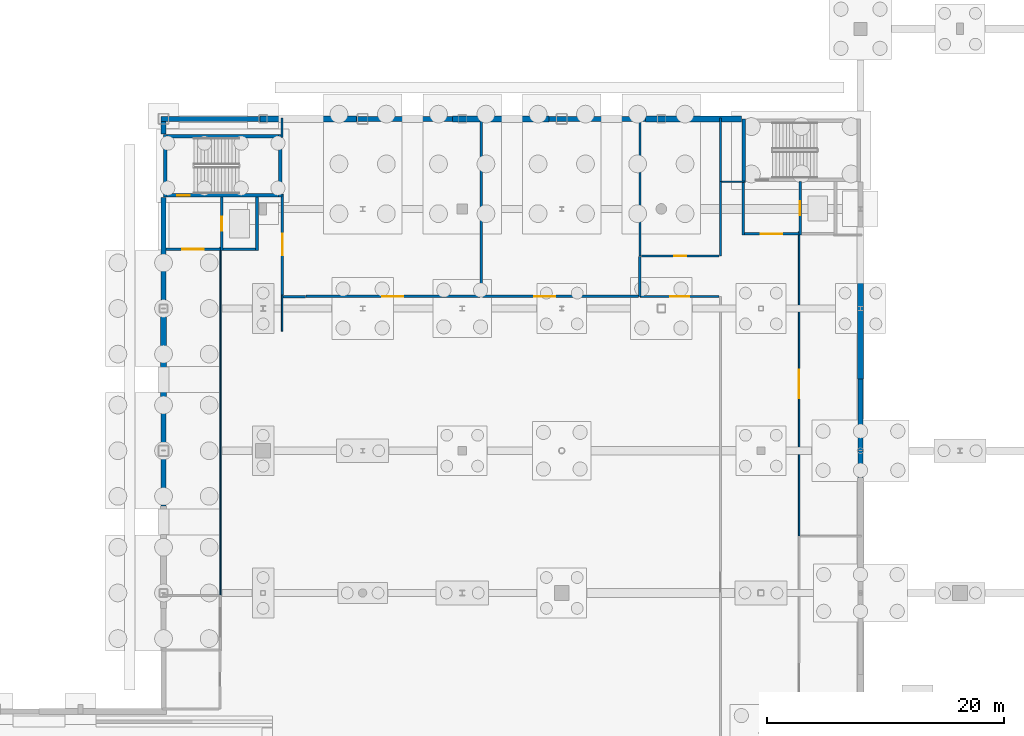
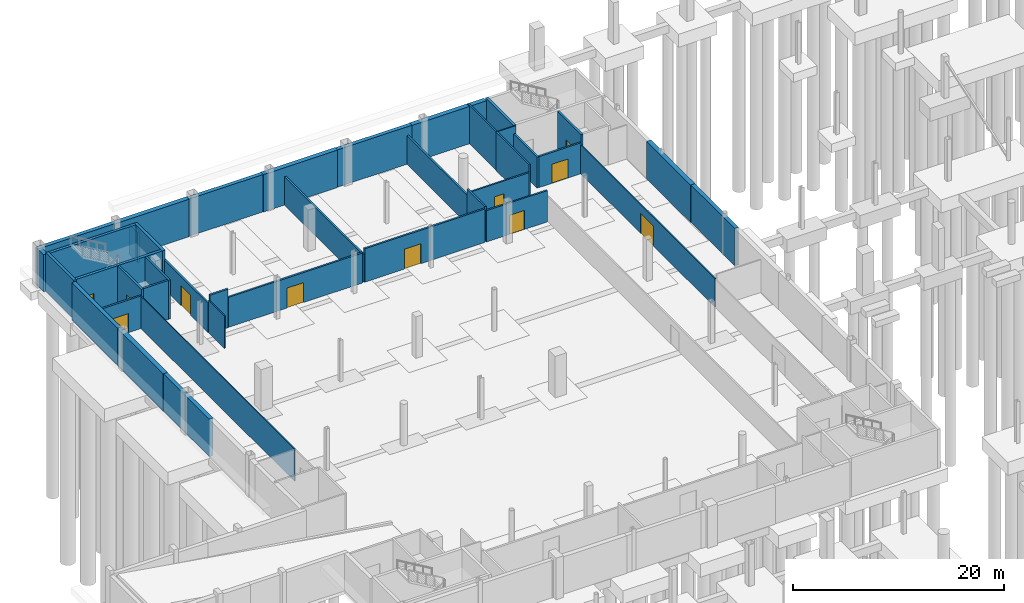
# One storey, part 27 of 34: 40 walls, 11 doors, 11 openings.
"""IFC4 building model written with IfcOpenShell, lengths in metres."""

from ifc_helpers import new_model, si_unit, direction, frame, frame_2d, origin, place, context, subcontext, project, spatial, rectangle, extrude, material, layer, layer_set, type_object, element, fill, save


model = new_model("IFC4")

# Units and contexts
model_context = context("Model", 3, precision=1e-05, world=origin(), true_north=direction((0.0, 1.0)))
body_context = subcontext(model_context, "Body", "Model", "MODEL_VIEW")
ifc_project = project(units=[si_unit("LENGTHUNIT", "METRE"), si_unit("AREAUNIT", "SQUARE_METRE"), si_unit("VOLUMEUNIT", "CUBIC_METRE"), si_unit("PLANEANGLEUNIT", "RADIAN"), si_unit("MASSUNIT", "GRAM", prefix="KILO")], contexts=[model_context])

# Site, building, storey
site_placement = place(None, origin())
site = spatial("IfcSite", under=ifc_project, at=site_placement, CompositionType="ELEMENT")
building_placement = place(site_placement, origin())
building = spatial("IfcBuilding", under=site, at=building_placement, Name="Larkvane Passage Sports Hall", CompositionType="ELEMENT")
storey_placement = place(building_placement, frame((0.0, 0.0, -4.800048828125)))
storey = spatial("IfcBuildingStorey", under=building, at=storey_placement, Name="B01", CompositionType="ELEMENT", Elevation=-4.800048828125)

# Walls
ifc_material_1 = material(Name="Concrete C50/60", Category="concrete")
ifc_layer_1 = layer(ifc_material_1, 0.340087890625)
ifc_layer_set_1 = layer_set([ifc_layer_1], Name="Concrete C50/60")
wall_type_1 = type_object("IfcWallType", Name="WL-CORE-340", PredefinedType="SHEAR", material=ifc_layer_set_1)
for number, where, z_axis, x_axis, name in (
    (1, (34.949951171875, 85.0, 0.0), (0.0, 0.0, 1.0), (0.0, 1.0, 0.0), "Core shear wall WAL-CORE-C2-B01-W"),
    (2, (44.64990234375, 90.300048828125, 0.0), (0.0, 0.0, 1.0), (0.0, -1.0, 0.0), "Core shear wall WAL-CORE-C2-B01-E"),
):
    element("IfcWall", number, at=place(storey_placement, frame(where, z_axis=z_axis, x_axis=x_axis)), inside=storey, type_object=wall_type_1, Name=name, PredefinedType="SHEAR", context=body_context, shape_type="SweptSolid", body=[
        extrude(rectangle(XDim=5.300048828125, YDim=0.300048828125, at=frame_2d((2.64990234375, 0.0))), origin(), (0.0, 0.0, 1.0), 4.510009765625),
    ])

# Wall, opening, door
wall_1_placement = place(storey_placement, frame((44.5, 85.14990234375, 0.0), z_axis=(0.0, 0.0, 1.0), x_axis=(-1.0, 0.0, 0.0)))
wall_1 = element("IfcWall", 3, at=wall_1_placement, inside=storey, type_object=wall_type_1, Name="Core shear wall WAL-CORE-C2-B01-S", PredefinedType="SHEAR", context=body_context, shape_type="SweptSolid", body=[
    extrude(rectangle(XDim=9.39990234375, YDim=0.300048828125, at=frame_2d((4.699951171875, 0.0))), origin(), (0.0, 0.0, 1.0), 4.510009765625),
])
opening_1_placement = place(wall_1_placement, frame((7.5, 0.0, 0.0)))
opening_1 = element("IfcOpeningElement", 4, at=opening_1_placement, cuts=wall_1, Name="Opening DF-01", PredefinedType="OPENING", context=body_context, shape_type="SweptSolid", body=[
    extrude(rectangle(XDim=1.050048828125, YDim=2.199951171875, at=frame_2d((0.52490234375, 1.10009765625))), frame((0.0, 0.159912109375, 0.0), z_axis=(0.0, -1.0, 0.0), x_axis=(1.0, 0.0, 0.0)), (0.0, 0.0, 1.0), 0.320068359375),
])
ifc_material_2 = material(Name="Steel S355JR smoke-sealed fire door", Category="steel")
door_type_1 = type_object("IfcDoorType", Name="DR-FIRE-1050", OperationType="NOTDEFINED", PredefinedType="DOOR", material=ifc_material_2)
door_1_placement = place(opening_1_placement, origin())
door_1 = element("IfcDoor", 5, at=door_1_placement, inside=storey, type_object=door_type_1, Name="Stair ST-02 B01 fire door", OperationType="SINGLE_SWING_LEFT", OverallHeight=2.199951171875, OverallWidth=1.050048828125, PredefinedType="DOOR", context=body_context, shape_type="SweptSolid", body=[
    extrude(rectangle(XDim=1.050048828125, YDim=2.199951171875, at=frame_2d((0.52490234375, 1.10009765625))), frame((0.0, 0.02490234375, 0.0), z_axis=(0.0, -1.0, 0.0), x_axis=(1.0, 0.0, 0.0)), (0.0, 0.0, 1.0), 0.050048828125),
])
fill(opening_1, door_1)

# Walls
wall_2_placement = place(storey_placement, frame((35.10009765625, 90.14990234375, 0.0), z_axis=(0.0, 0.0, 1.0), x_axis=(1.0, 0.0, 0.0)))
element("IfcWall", 6, at=wall_2_placement, inside=storey, type_object=wall_type_1, Name="Core shear wall WAL-CORE-C2-B01-N", PredefinedType="SHEAR", context=body_context, shape_type="SweptSolid", body=[
    extrude(rectangle(XDim=9.39990234375, YDim=0.300048828125, at=frame_2d((4.699951171875, 0.0))), origin(), (0.0, 0.0, 1.0), 4.510009765625),
])
ifc_layer_2 = layer(ifc_material_1, 0.360107421875)
ifc_layer_set_2 = layer_set([ifc_layer_2], Name="Concrete C50/60")
wall_type_2 = type_object("IfcWallType", Name="WL-CORE-360", PredefinedType="SHEAR", material=ifc_layer_set_2)
wall_3_placement = place(storey_placement, frame((83.75, 86.300048828125, 0.0), z_axis=(0.0, 0.0, 1.0), x_axis=(0.0, 1.0, 0.0)))
element("IfcWall", 7, at=wall_3_placement, inside=storey, type_object=wall_type_2, Name="Core shear wall WAL-CORE-C3-B01-W", PredefinedType="SHEAR", context=body_context, shape_type="SweptSolid", body=[
    extrude(rectangle(XDim=5.300048828125, YDim=0.300048828125, at=frame_2d((2.64990234375, 0.0))), origin(), (0.0, 0.0, 1.0), 4.510009765625),
])

# Wall, opening, door
ifc_material_3 = material(Name="Concrete C40/50", Category="concrete")
ifc_layer_3 = layer(ifc_material_3, 0.199951171875)
ifc_layer_set_3 = layer_set([ifc_layer_3], Name="Concrete C40/50")
wall_type_3 = type_object("IfcWallType", Name="WL-LOBBY-200", PredefinedType="SOLIDWALL", material=ifc_layer_set_3)
wall_4_placement = place(storey_placement, frame((35.0, 80.60009765625, 0.0), z_axis=(0.0, 0.0, 1.0), x_axis=(1.0, 0.0, 0.0)))
wall_4 = element("IfcWall", 8, at=wall_4_placement, inside=storey, type_object=wall_type_3, Name="Protected stair lobby wall C2 B01", PredefinedType="SOLIDWALL", context=body_context, shape_type="SweptSolid", body=[
    extrude(rectangle(XDim=4.60009765625, YDim=0.199951171875, at=frame_2d((2.300048828125, 0.0))), origin(), (0.0, 0.0, 1.0), 3.77001953125),
])
opening_2_placement = place(wall_4_placement, frame((1.39990234375, 0.0, 0.0)))
opening_2 = element("IfcOpeningElement", 9, at=opening_2_placement, cuts=wall_4, Name="Opening DF-02", PredefinedType="OPENING", context=body_context, shape_type="SweptSolid", body=[
    extrude(rectangle(XDim=1.800048828125, YDim=2.199951171875, at=frame_2d((0.89990234375, 1.10009765625))), frame((0.0, 0.10986328125, 0.0), z_axis=(0.0, -1.0, 0.0), x_axis=(1.0, 0.0, 0.0)), (0.0, 0.0, 1.0), 0.219970703125),
])
ifc_material_4 = material(Name="Steel S355JR double smoke-sealed fire door", Category="steel")
door_type_2 = type_object("IfcDoorType", Name="DR-FIRE-1800", OperationType="DOUBLE_DOOR_SINGLE_SWING", PredefinedType="DOOR", material=ifc_material_4)
door_2_placement = place(opening_2_placement, origin())
door_2 = element("IfcDoor", 10, at=door_2_placement, inside=storey, type_object=door_type_2, Name="Lobby smoke door C2 B01", OperationType="DOUBLE_DOOR_SINGLE_SWING", OverallHeight=2.199951171875, OverallWidth=1.800048828125, PredefinedType="DOOR", context=body_context, shape_type="SweptSolid", body=[
    extrude(rectangle(XDim=1.800048828125, YDim=2.199951171875, at=frame_2d((0.89990234375, 1.10009765625))), frame((0.0, 0.02490234375, 0.0), z_axis=(0.0, -1.0, 0.0), x_axis=(1.0, 0.0, 0.0)), (0.0, 0.0, 1.0), 0.050048828125),
])
fill(opening_2, door_2)

wall_5_placement = place(storey_placement, frame((83.800048828125, 81.89990234375, 0.0), z_axis=(0.0, 0.0, 1.0), x_axis=(1.0, 0.0, 0.0)))
wall_5 = element("IfcWall", 11, at=wall_5_placement, inside=storey, type_object=wall_type_3, Name="Protected stair lobby wall C3 B01", PredefinedType="SOLIDWALL", context=body_context, shape_type="SweptSolid", body=[
    extrude(rectangle(XDim=4.599853515625, YDim=0.199951171875, at=frame_2d((2.2998046875, 0.0))), origin(), (0.0, 0.0, 1.0), 3.578125),
])
opening_3_placement = place(wall_5_placement, frame((1.39990234375, 0.0, 0.0)))
opening_3 = element("IfcOpeningElement", 12, at=opening_3_placement, cuts=wall_5, Name="Opening DF-02", PredefinedType="OPENING", context=body_context, shape_type="SweptSolid", body=[
    extrude(rectangle(XDim=1.800048828125, YDim=2.199951171875, at=frame_2d((0.89990234375, 1.10009765625))), frame((0.0, 0.10986328125, 0.0), z_axis=(0.0, -1.0, 0.0), x_axis=(1.0, 0.0, 0.0)), (0.0, 0.0, 1.0), 0.219970703125),
])
door_3_placement = place(opening_3_placement, origin())
door_3 = element("IfcDoor", 13, at=door_3_placement, inside=storey, type_object=door_type_2, Name="Lobby smoke door C3 B01", OperationType="DOUBLE_DOOR_SINGLE_SWING", OverallHeight=2.199951171875, OverallWidth=1.800048828125, PredefinedType="DOOR", context=body_context, shape_type="SweptSolid", body=[
    extrude(rectangle(XDim=1.800048828125, YDim=2.199951171875, at=frame_2d((0.89990234375, 1.10009765625))), frame((0.0, 0.02490234375, 0.0), z_axis=(0.0, -1.0, 0.0), x_axis=(1.0, 0.0, 0.0)), (0.0, 0.0, 1.0), 0.050048828125),
])
fill(opening_3, door_3)

# Walls
wall_6_placement = place(storey_placement, frame((83.699951171875, 81.800048828125, 0.0), z_axis=(0.0, 0.0, 1.0), x_axis=(0.0, 1.0, 0.0)))
element("IfcWall", 14, at=wall_6_placement, inside=storey, type_object=wall_type_3, Name="Lobby side wall C3 B01", PredefinedType="SOLIDWALL", context=body_context, shape_type="SweptSolid", body=[
    extrude(rectangle(XDim=4.5, YDim=0.199951171875, at=frame_2d((2.25, 0.0))), origin(), (0.0, 0.0, 1.0), 3.578125),
])
wall_7_placement = place(storey_placement, frame((61.60009765625, 91.674072265625, 0.0), z_axis=(0.0, 0.0, 1.0), x_axis=(0.0, -1.0, 0.0)))
element("IfcWall", 15, at=wall_7_placement, inside=storey, type_object=wall_type_3, Name="Interior partition WAL-PART-B01-0006", PredefinedType="SOLIDWALL", context=body_context, shape_type="SweptSolid", body=[
    extrude(rectangle(XDim=15.053955078125, YDim=0.199951171875, at=frame_2d((7.52685546875, 0.0))), origin(), (0.0, 0.0, 1.0), 3.27001953125),
])

# Wall, opening, door
wall_8_placement = place(storey_placement, frame((61.47998046875, 76.6201171875, 0.0), z_axis=(0.0, 0.0, 1.0), x_axis=(-1.0, 0.0, 0.0)))
wall_8 = element("IfcWall", 16, at=wall_8_placement, inside=storey, type_object=wall_type_3, Name="Interior partition WAL-PART-B01-0007", PredefinedType="SOLIDWALL", context=body_context, shape_type="SweptSolid", body=[
    extrude(rectangle(XDim=14.679931640625, YDim=0.199951171875, at=frame_2d((7.33984375, 0.0))), origin(), (0.0, 0.0, 1.0), 3.469970703125),
])
opening_4_placement = place(wall_8_placement, frame((6.43994140625, 0.0, 0.0)))
opening_4 = element("IfcOpeningElement", 17, at=opening_4_placement, cuts=wall_8, Name="Opening DR-01", PredefinedType="OPENING", context=body_context, shape_type="SweptSolid", body=[
    extrude(rectangle(XDim=1.800048828125, YDim=2.300048828125, at=frame_2d((0.89990234375, 1.14990234375))), frame((0.0, 0.10986328125, 0.0), z_axis=(0.0, -1.0, 0.0), x_axis=(1.0, 0.0, 0.0)), (0.0, 0.0, 1.0), 0.219970703125),
])
ifc_material_5 = material(Name="Louvred acoustic steel S355JR plant door", Category="steel")
door_type_3 = type_object("IfcDoorType", Name="DR-PLANT-1800", OperationType="DOUBLE_DOOR_SINGLE_SWING", PredefinedType="DOOR", material=ifc_material_5)
door_4_placement = place(opening_4_placement, origin())
door_4 = element("IfcDoor", 18, at=door_4_placement, inside=storey, type_object=door_type_3, Name="Interior door B01-0005", OperationType="DOUBLE_DOOR_SINGLE_SWING", OverallHeight=2.300048828125, OverallWidth=1.800048828125, PredefinedType="DOOR", context=body_context, shape_type="SweptSolid", body=[
    extrude(rectangle(XDim=1.800048828125, YDim=2.300048828125, at=frame_2d((0.89990234375, 1.14990234375))), frame((0.0, 0.02490234375, 0.0), z_axis=(0.0, -1.0, 0.0), x_axis=(1.0, 0.0, 0.0)), (0.0, 0.0, 1.0), 0.050048828125),
])
fill(opening_4, door_4)

# Wall
wall_9_placement = place(storey_placement, frame((46.780029296875, 76.60009765625, 0.0), z_axis=(0.0, 0.0, 1.0), x_axis=(-1.0, 0.0, 0.0)))
element("IfcWall", 19, at=wall_9_placement, inside=storey, type_object=wall_type_3, Name="Interior partition WAL-PART-B01-0008", PredefinedType="SOLIDWALL", context=body_context, shape_type="SweptSolid", body=[
    extrude(rectangle(XDim=1.9599609375, YDim=0.199951171875, at=frame_2d((0.97998046875, 0.0))), origin(), (0.0, 0.0, 1.0), 4.449951171875),
])

# Wall, opening, door
wall_10_placement = place(storey_placement, frame((44.820068359375, 76.719970703125, 0.0), z_axis=(0.0, 0.0, 1.0), x_axis=(0.0, 1.0, 0.0)))
wall_10 = element("IfcWall", 20, at=wall_10_placement, inside=storey, type_object=wall_type_3, Name="Interior partition WAL-PART-B01-0009", PredefinedType="SOLIDWALL", context=body_context, shape_type="SweptSolid", body=[
    extrude(rectangle(XDim=8.5400390625, YDim=0.199951171875, at=frame_2d((4.27001953125, 0.0))), origin(), (0.0, 0.0, 1.0), 3.3701171875),
])
opening_5_placement = place(wall_10_placement, frame((3.3701171875, 0.0, 0.0)))
opening_5 = element("IfcOpeningElement", 21, at=opening_5_placement, cuts=wall_10, Name="Opening DR-01", PredefinedType="OPENING", context=body_context, shape_type="SweptSolid", body=[
    extrude(rectangle(XDim=1.800048828125, YDim=2.300048828125, at=frame_2d((0.89990234375, 1.14990234375))), frame((0.0, 0.10986328125, 0.0), z_axis=(0.0, -1.0, 0.0), x_axis=(1.0, 0.0, 0.0)), (0.0, 0.0, 1.0), 0.219970703125),
])
door_5_placement = place(opening_5_placement, origin())
door_5 = element("IfcDoor", 22, at=door_5_placement, inside=storey, type_object=door_type_3, Name="Interior door B01-0007", OperationType="DOUBLE_DOOR_SINGLE_SWING", OverallHeight=2.300048828125, OverallWidth=1.800048828125, PredefinedType="DOOR", context=body_context, shape_type="SweptSolid", body=[
    extrude(rectangle(XDim=1.800048828125, YDim=2.300048828125, at=frame_2d((0.89990234375, 1.14990234375))), frame((0.0, 0.02490234375, 0.0), z_axis=(0.0, -1.0, 0.0), x_axis=(1.0, 0.0, 0.0)), (0.0, 0.0, 1.0), 0.050048828125),
])
fill(opening_5, door_5)

# Walls
wall_11_placement = place(storey_placement, frame((44.800048828125, 90.0400390625, 0.0), z_axis=(0.0, 0.0, 1.0), x_axis=(0.0, 1.0, 0.0)))
element("IfcWall", 23, at=wall_11_placement, inside=storey, type_object=wall_type_3, Name="Interior partition WAL-PART-B01-0010", PredefinedType="SOLIDWALL", context=body_context, shape_type="SweptSolid", body=[
    extrude(rectangle(XDim=1.634033203125, YDim=0.199951171875, at=frame_2d((0.81689453125, 0.0))), origin(), (0.0, 0.0, 1.0), 3.52001953125),
])
wall_12_placement = place(storey_placement, frame((75.0, 91.714111328125, 0.0), z_axis=(0.0, 0.0, 1.0), x_axis=(0.0, -1.0, 0.0)))
element("IfcWall", 24, at=wall_12_placement, inside=storey, type_object=wall_type_3, Name="Interior partition WAL-PART-B01-0011", PredefinedType="SOLIDWALL", context=body_context, shape_type="SweptSolid", body=[
    extrude(rectangle(XDim=11.694091796875, YDim=0.199951171875, at=frame_2d((5.84716796875, 0.0))), origin(), (0.0, 0.0, 1.0), 3.320068359375),
])
wall_13_placement = place(storey_placement, frame((74.97998046875, 80.0, 0.0), z_axis=(0.0, 0.0, 1.0), x_axis=(0.0, -1.0, 0.0)))
element("IfcWall", 25, at=wall_13_placement, inside=storey, type_object=wall_type_3, Name="Interior partition WAL-PART-B01-0012", PredefinedType="SOLIDWALL", context=body_context, shape_type="SweptSolid", body=[
    extrude(rectangle(XDim=3.3798828125, YDim=0.199951171875, at=frame_2d((1.68994140625, 0.0))), origin(), (0.0, 0.0, 1.0), 4.070068359375),
])

# Wall, opening, door
wall_14_placement = place(storey_placement, frame((74.860107421875, 76.6201171875, 0.0), z_axis=(0.0, 0.0, 1.0), x_axis=(-1.0, 0.0, 0.0)))
wall_14 = element("IfcWall", 26, at=wall_14_placement, inside=storey, type_object=wall_type_3, Name="Interior partition WAL-PART-B01-0013", PredefinedType="SOLIDWALL", context=body_context, shape_type="SweptSolid", body=[
    extrude(rectangle(XDim=13.14013671875, YDim=0.199951171875, at=frame_2d((6.570068359375, 0.0))), origin(), (0.0, 0.0, 1.0), 3.8701171875),
])
opening_6_placement = place(wall_14_placement, frame((7.0, 0.0, 0.0)))
opening_6 = element("IfcOpeningElement", 27, at=opening_6_placement, cuts=wall_14, Name="Opening DR-01", PredefinedType="OPENING", context=body_context, shape_type="SweptSolid", body=[
    extrude(rectangle(XDim=1.800048828125, YDim=2.300048828125, at=frame_2d((0.89990234375, 1.14990234375))), frame((0.0, 0.10986328125, 0.0), z_axis=(0.0, -1.0, 0.0), x_axis=(1.0, 0.0, 0.0)), (0.0, 0.0, 1.0), 0.219970703125),
])
door_6_placement = place(opening_6_placement, origin())
door_6 = element("IfcDoor", 28, at=door_6_placement, inside=storey, type_object=door_type_3, Name="Interior door B01-0006", OperationType="DOUBLE_DOOR_SINGLE_SWING", OverallHeight=2.300048828125, OverallWidth=1.800048828125, PredefinedType="DOOR", context=body_context, shape_type="SweptSolid", body=[
    extrude(rectangle(XDim=1.800048828125, YDim=2.300048828125, at=frame_2d((0.89990234375, 1.14990234375))), frame((0.0, 0.02490234375, 0.0), z_axis=(0.0, -1.0, 0.0), x_axis=(1.0, 0.0, 0.0)), (0.0, 0.0, 1.0), 0.050048828125),
])
fill(opening_6, door_6)

# Walls
ifc_material_6 = material(Name="Gypsum twin-stud acoustic partition")
ifc_layer_4 = layer(ifc_material_6, 0.10009765625)
ifc_layer_set_4 = layer_set([ifc_layer_4], Name="Gypsum twin-stud acoustic partition")
wall_type_4 = type_object("IfcWallType", Name="WL-PART-100", PredefinedType="PARTITIONING", material=ifc_layer_set_4)
wall_15_placement = place(storey_placement, frame((39.60009765625, 51.39990234375, 0.0), z_axis=(0.0, 0.0, 1.0), x_axis=(0.0, 1.0, 0.0)))
element("IfcWall", 29, at=wall_15_placement, inside=storey, type_object=wall_type_4, Name="Interior partition WAL-PART-B01-0029", PredefinedType="PARTITIONING", context=body_context, shape_type="SweptSolid", body=[
    extrude(rectangle(XDim=29.360107421875, YDim=0.10009765625, at=frame_2d((14.68017578125, 0.0))), origin(), (0.0, 0.0, 1.0), 3.719970703125),
])
wall_16_placement = place(storey_placement, frame((81.89990234375, 86.300048828125, 0.0), z_axis=(0.0, 0.0, 1.0), x_axis=(1.0, 0.0, 0.0)))
element("IfcWall", 30, at=wall_16_placement, inside=storey, type_object=wall_type_4, Name="Interior partition WAL-PART-B01-0037", PredefinedType="PARTITIONING", context=body_context, shape_type="SweptSolid", body=[
    extrude(rectangle(XDim=1.960205078125, YDim=0.10009765625, at=frame_2d((0.97998046875, 0.0))), origin(), (0.0, 0.0, 1.0), 4.449951171875),
])

# Wall, opening, door
ifc_material_7 = material(Name="Gypsum twin-stud fire-rated partition")
ifc_layer_5 = layer(ifc_material_7, 0.125)
ifc_layer_set_5 = layer_set([ifc_layer_5], Name="Gypsum twin-stud fire-rated partition")
wall_type_5 = type_object("IfcWallType", Name="WL-PART-125", PredefinedType="PARTITIONING", material=ifc_layer_set_5)
wall_17_placement = place(storey_placement, frame((88.419921875, 56.419921875, 0.0), z_axis=(0.0, 0.0, 1.0), x_axis=(0.0, 1.0, 0.0)))
wall_17 = element("IfcWall", 31, at=wall_17_placement, inside=storey, type_object=wall_type_5, Name="Interior partition WAL-PART-B01-0020", PredefinedType="PARTITIONING", context=body_context, shape_type="SweptSolid", body=[
    extrude(rectangle(XDim=25.64013671875, YDim=0.125, at=frame_2d((12.820068359375, 0.0))), origin(), (0.0, 0.0, 1.0), 3.320068359375),
])
opening_7_placement = place(wall_17_placement, frame((11.6201171875, 0.0, 0.0)))
opening_7 = element("IfcOpeningElement", 32, at=opening_7_placement, cuts=wall_17, Name="Opening FD-01", PredefinedType="OPENING", context=body_context, shape_type="SweptSolid", body=[
    extrude(rectangle(XDim=2.39990234375, YDim=2.300048828125, at=frame_2d((1.199951171875, 1.14990234375))), frame((0.0, 0.072509765625, 0.0), z_axis=(0.0, -1.0, 0.0), x_axis=(1.0, 0.0, 0.0)), (0.0, 0.0, 1.0), 0.14501953125),
])
ifc_material_8 = material(Name="Bi-fold steel S355JR equipment store door", Category="steel")
door_type_4 = type_object("IfcDoorType", Name="DR-FOLD-2400", OperationType="FOLDING_TO_LEFT", PredefinedType="DOOR", material=ifc_material_8)
door_7_placement = place(opening_7_placement, origin())
door_7 = element("IfcDoor", 33, at=door_7_placement, inside=storey, type_object=door_type_4, Name="Interior door B01-0001", OperationType="FOLDING_TO_LEFT", OverallHeight=2.300048828125, OverallWidth=2.39990234375, PredefinedType="DOOR", context=body_context, shape_type="SweptSolid", body=[
    extrude(rectangle(XDim=2.39990234375, YDim=2.300048828125, at=frame_2d((1.199951171875, 1.14990234375))), frame((0.0, 0.02490234375, 0.0), z_axis=(0.0, -1.0, 0.0), x_axis=(1.0, 0.0, 0.0)), (0.0, 0.0, 1.0), 0.050048828125),
])
fill(opening_7, door_7)

# Wall
wall_18_placement = place(storey_placement, frame((44.800048828125, 76.719970703125, 0.0), z_axis=(0.0, 0.0, 1.0), x_axis=(0.0, -1.0, 0.0)))
element("IfcWall", 34, at=wall_18_placement, inside=storey, type_object=wall_type_5, Name="Interior partition WAL-PART-B01-0030", PredefinedType="PARTITIONING", context=body_context, shape_type="SweptSolid", body=[
    extrude(rectangle(XDim=3.02001953125, YDim=0.125, at=frame_2d((1.510009765625, 0.0))), origin(), (0.0, 0.0, 1.0), 3.77001953125),
])

# Wall, opening, door
ifc_material_9 = material(Name="Gypsum high-bay court partition")
ifc_layer_6 = layer(ifc_material_9, 0.179931640625)
ifc_layer_set_6 = layer_set([ifc_layer_6], Name="Gypsum high-bay court partition")
wall_type_6 = type_object("IfcWallType", Name="WL-PART-180", PredefinedType="PARTITIONING", material=ifc_layer_set_6)
wall_19_placement = place(storey_placement, frame((81.679931640625, 76.60009765625, 0.0), z_axis=(0.0, 0.0, 1.0), x_axis=(-1.0, 0.0, 0.0)))
wall_19 = element("IfcWall", 35, at=wall_19_placement, inside=storey, type_object=wall_type_6, Name="Interior partition WAL-PART-B01-0036", PredefinedType="PARTITIONING", context=body_context, shape_type="SweptSolid", body=[
    extrude(rectangle(XDim=6.679931640625, YDim=0.179931640625, at=frame_2d((3.33984375, 0.0))), origin(), (0.0, 0.0, 1.0), 3.6201171875),
])
opening_8_placement = place(wall_19_placement, frame((2.5400390625, 0.0, 0.0)))
opening_8 = element("IfcOpeningElement", 36, at=opening_8_placement, cuts=wall_19, Name="Opening DI-03", PredefinedType="OPENING", context=body_context, shape_type="SweptSolid", body=[
    extrude(rectangle(XDim=1.60009765625, YDim=2.199951171875, at=frame_2d((0.800048828125, 1.10009765625))), frame((0.0, 0.099853515625, 0.0), z_axis=(0.0, -1.0, 0.0), x_axis=(1.0, 0.0, 0.0)), (0.0, 0.0, 1.0), 0.199951171875),
])
ifc_material_10 = material(Name="Glazed aluminium studio double door", Category="aluminium")
door_type_5 = type_object("IfcDoorType", Name="DR-INT-1600", OperationType="DOUBLE_DOOR_SINGLE_SWING", PredefinedType="DOOR", material=ifc_material_10)
door_8_placement = place(opening_8_placement, origin())
door_8 = element("IfcDoor", 37, at=door_8_placement, inside=storey, type_object=door_type_5, Name="Interior door B01-0013", OperationType="DOUBLE_DOOR_SINGLE_SWING", OverallHeight=2.199951171875, OverallWidth=1.60009765625, PredefinedType="DOOR", context=body_context, shape_type="SweptSolid", body=[
    extrude(rectangle(XDim=1.60009765625, YDim=2.199951171875, at=frame_2d((0.800048828125, 1.10009765625))), frame((0.0, 0.02490234375, 0.0), z_axis=(0.0, -1.0, 0.0), x_axis=(1.0, 0.0, 0.0)), (0.0, 0.0, 1.0), 0.050048828125),
])
fill(opening_8, door_8)

# Walls
ifc_material_11 = material(Name="Moisture-resistant shaftliner partition")
ifc_layer_7 = layer(ifc_material_11, 0.175048828125)
ifc_layer_set_7 = layer_set([ifc_layer_7], Name="Moisture-resistant shaftliner partition")
wall_type_7 = type_object("IfcWallType", Name="WL-PLUMB-175", PredefinedType="PLUMBINGWALL", material=ifc_layer_set_7)
wall_20_placement = place(storey_placement, frame((81.800048828125, 91.674072265625, 0.0), z_axis=(0.0, 0.0, 1.0), x_axis=(0.0, -1.0, 0.0)))
element("IfcWall", 38, at=wall_20_placement, inside=storey, type_object=wall_type_7, Name="Interior partition WAL-PART-B01-0014", PredefinedType="PLUMBINGWALL", context=body_context, shape_type="SweptSolid", body=[
    extrude(rectangle(XDim=5.35400390625, YDim=0.175048828125, at=frame_2d((2.677001953125, 0.0))), origin(), (0.0, 0.0, 1.0), 4.449951171875),
])
wall_21_placement = place(storey_placement, frame((81.780029296875, 86.300048828125, 0.0), z_axis=(0.0, 0.0, 1.0), x_axis=(0.0, -1.0, 0.0)))
element("IfcWall", 39, at=wall_21_placement, inside=storey, type_object=wall_type_7, Name="Interior partition WAL-PART-B01-0015", PredefinedType="PLUMBINGWALL", context=body_context, shape_type="SweptSolid", body=[
    extrude(rectangle(XDim=6.280029296875, YDim=0.175048828125, at=frame_2d((3.14013671875, 0.0))), origin(), (0.0, 0.0, 1.0), 4.449951171875),
])

# Wall, opening, door
wall_22_placement = place(storey_placement, frame((81.659912109375, 80.02001953125, 0.0), z_axis=(0.0, 0.0, 1.0), x_axis=(-1.0, 0.0, 0.0)))
wall_22 = element("IfcWall", 40, at=wall_22_placement, inside=storey, type_object=wall_type_7, Name="Interior partition WAL-PART-B01-0016", PredefinedType="PLUMBINGWALL", context=body_context, shape_type="SweptSolid", body=[
    extrude(rectangle(XDim=6.539794921875, YDim=0.175048828125, at=frame_2d((3.27001953125, 0.0))), origin(), (0.0, 0.0, 1.0), 3.6201171875),
])
opening_9_placement = place(wall_22_placement, frame((2.77001953125, 0.0, 0.0)))
opening_9 = element("IfcOpeningElement", 41, at=opening_9_placement, cuts=wall_22, Name="Opening DI-01", PredefinedType="OPENING", context=body_context, shape_type="SweptSolid", body=[
    extrude(rectangle(XDim=1.0, YDim=2.14990234375, at=frame_2d((0.5, 1.074951171875))), frame((0.0, 0.097412109375, 0.0), z_axis=(0.0, -1.0, 0.0), x_axis=(1.0, 0.0, 0.0)), (0.0, 0.0, 1.0), 0.195068359375),
])
ifc_material_12 = material(Name="Solid-core hardwood acoustic door", Category="wood")
door_type_6 = type_object("IfcDoorType", Name="DR-INT-1000", OperationType="NOTDEFINED", PredefinedType="DOOR", material=ifc_material_12)
door_9_placement = place(opening_9_placement, origin())
door_9 = element("IfcDoor", 42, at=door_9_placement, inside=storey, type_object=door_type_6, Name="Interior door B01-0008", OperationType="SINGLE_SWING_RIGHT", OverallHeight=2.14990234375, OverallWidth=1.0, PredefinedType="DOOR", context=body_context, shape_type="SweptSolid", body=[
    extrude(rectangle(XDim=1.0, YDim=2.14990234375, at=frame_2d((0.5, 1.074951171875))), frame((0.0, 0.02490234375, 0.0), z_axis=(0.0, -1.0, 0.0), x_axis=(1.0, 0.0, 0.0)), (0.0, 0.0, 1.0), 0.050048828125),
])
fill(opening_9, door_9)

# Walls
ifc_layer_8 = layer(ifc_material_3, 0.419921875)
ifc_layer_set_8 = layer_set([ifc_layer_8], Name="Concrete C40/50")
wall_type_8 = type_object("IfcWallType", Name="WL-RET-420", PredefinedType="USERDEFINED", material=ifc_layer_set_8)
wall_23_placement = place(storey_placement, frame((93.60009765625, 61.354248046875, 0.0), z_axis=(0.0, 0.0, 1.0), x_axis=(0.0, 1.0, 0.0)))
element("IfcWall", 43, at=wall_23_placement, inside=storey, type_object=wall_type_8, Name="Basement retaining wall B01-014", ObjectType="RETAININGWALL", PredefinedType="USERDEFINED", context=body_context, shape_type="SweptSolid", body=[
    extrude(rectangle(XDim=8.30859375, YDim=0.419921875, at=frame_2d((4.154296875, 0.0))), origin(), (0.0, 0.0, 1.0), 4.320068359375),
])
for number, where, z_axis, x_axis, name in (
    (44, (75.449951171875, 91.60009765625, 0.0), (0.0, 0.0, 1.0), (-1.0, 0.0, 0.0), "Basement retaining wall B01-018"),
    (45, (59.18994140625, 91.60009765625, 0.0), (0.0, 0.0, 1.0), (-1.0, 0.0, 0.0), "Basement retaining wall B01-020"),
):
    element("IfcWall", number, at=place(storey_placement, frame(where, z_axis=z_axis, x_axis=x_axis)), inside=storey, type_object=wall_type_8, Name=name, ObjectType="RETAININGWALL", PredefinedType="USERDEFINED", context=body_context, shape_type="SweptSolid", body=[
        extrude(rectangle(XDim=8.1298828125, YDim=0.419921875, at=frame_2d((4.06494140625, 0.0))), origin(), (0.0, 0.0, 1.0), 4.320068359375),
    ])
wall_24_placement = place(storey_placement, frame((42.929931640625, 91.60009765625, 0.0), z_axis=(0.0, 0.0, 1.0), x_axis=(-1.0, 0.0, 0.0)))
element("IfcWall", 46, at=wall_24_placement, inside=storey, type_object=wall_type_8, Name="Basement retaining wall B01-022", ObjectType="RETAININGWALL", PredefinedType="USERDEFINED", context=body_context, shape_type="SweptSolid", body=[
    extrude(rectangle(XDim=8.33984375, YDim=0.419921875, at=frame_2d((4.169921875, 0.0))), origin(), (0.0, 0.0, 1.0), 4.320068359375),
])
wall_25_placement = place(storey_placement, frame((34.800048828125, 91.389892578125, 0.0), z_axis=(0.0, 0.0, 1.0), x_axis=(0.0, -1.0, 0.0)))
element("IfcWall", 47, at=wall_25_placement, inside=storey, type_object=wall_type_8, Name="Basement retaining wall B01-023", ObjectType="RETAININGWALL", PredefinedType="USERDEFINED", context=body_context, shape_type="SweptSolid", body=[
    extrude(rectangle(XDim=1.06982421875, YDim=0.419921875, at=frame_2d((0.534912109375, 0.0))), origin(), (0.0, 0.0, 1.0), 4.320068359375),
])
for number, where, z_axis, x_axis, name in (
    (48, (34.800048828125, 84.97998046875, 0.0), (0.0, 0.0, 1.0), (0.0, -1.0, 0.0), "Basement retaining wall B01-024"),
    (49, (34.800048828125, 67.6279296875, 0.0), (0.0, 0.0, 1.0), (0.0, -1.0, 0.0), "Basement retaining wall B01-026"),
):
    element("IfcWall", number, at=place(storey_placement, frame(where, z_axis=z_axis, x_axis=x_axis)), inside=storey, type_object=wall_type_8, Name=name, ObjectType="RETAININGWALL", PredefinedType="USERDEFINED", context=body_context, shape_type="SweptSolid", body=[
        extrude(rectangle(XDim=8.676025390625, YDim=0.419921875, at=frame_2d((4.337890625, 0.0))), origin(), (0.0, 0.0, 1.0), 4.320068359375),
    ])
ifc_layer_9 = layer(ifc_material_3, 0.5)
ifc_layer_set_9 = layer_set([ifc_layer_9], Name="Concrete C40/50")
wall_type_9 = type_object("IfcWallType", Name="WL-RET-500", PredefinedType="USERDEFINED", material=ifc_layer_set_9)
wall_26_placement = place(storey_placement, frame((93.60009765625, 69.662841796875, 0.0), z_axis=(0.0, 0.0, 1.0), x_axis=(0.0, 1.0, 0.0)))
element("IfcWall", 50, at=wall_26_placement, inside=storey, type_object=wall_type_9, Name="Basement retaining wall B01-015", ObjectType="RETAININGWALL", PredefinedType="USERDEFINED", context=body_context, shape_type="SweptSolid", body=[
    extrude(rectangle(XDim=8.30859375, YDim=0.5, at=frame_2d((4.154296875, 0.0))), origin(), (0.0, 0.0, 1.0), 4.320068359375),
])
for number, where, z_axis, x_axis, name in (
    (51, (83.580078125, 91.60009765625, 0.0), (0.0, 0.0, 1.0), (-1.0, 0.0, 0.0), "Basement retaining wall B01-017"),
    (52, (67.320068359375, 91.60009765625, 0.0), (0.0, 0.0, 1.0), (-1.0, 0.0, 0.0), "Basement retaining wall B01-019"),
    (53, (51.06005859375, 91.60009765625, 0.0), (0.0, 0.0, 1.0), (-1.0, 0.0, 0.0), "Basement retaining wall B01-021"),
):
    element("IfcWall", number, at=place(storey_placement, frame(where, z_axis=z_axis, x_axis=x_axis)), inside=storey, type_object=wall_type_9, Name=name, ObjectType="RETAININGWALL", PredefinedType="USERDEFINED", context=body_context, shape_type="SweptSolid", body=[
        extrude(rectangle(XDim=8.130126953125, YDim=0.5, at=frame_2d((4.06494140625, 0.0))), origin(), (0.0, 0.0, 1.0), 4.320068359375),
    ])
wall_27_placement = place(storey_placement, frame((34.800048828125, 76.303955078125, 0.0), z_axis=(0.0, 0.0, 1.0), x_axis=(0.0, -1.0, 0.0)))
element("IfcWall", 54, at=wall_27_placement, inside=storey, type_object=wall_type_9, Name="Basement retaining wall B01-025", ObjectType="RETAININGWALL", PredefinedType="USERDEFINED", context=body_context, shape_type="SweptSolid", body=[
    extrude(rectangle(XDim=8.676025390625, YDim=0.5, at=frame_2d((4.337890625, 0.0))), origin(), (0.0, 0.0, 1.0), 4.320068359375),
])

# Wall, opening, door
ifc_layer_10 = layer(ifc_material_3, 0.219970703125)
ifc_layer_set_10 = layer_set([ifc_layer_10], Name="Concrete C40/50")
wall_type_10 = type_object("IfcWallType", Name="WL-SHAFT-220", PredefinedType="SOLIDWALL", material=ifc_layer_set_10)
wall_28_placement = place(storey_placement, frame((39.7099609375, 80.5, 0.0), z_axis=(0.0, 0.0, 1.0), x_axis=(0.0, 1.0, 0.0)))
wall_28 = element("IfcWall", 55, at=wall_28_placement, inside=storey, type_object=wall_type_10, Name="Lift shaft front wall L-03 B01", PredefinedType="SOLIDWALL", context=body_context, shape_type="SweptSolid", body=[
    extrude(rectangle(XDim=4.5, YDim=0.219970703125, at=frame_2d((2.25, 0.0))), origin(), (0.0, 0.0, 1.0), 4.510009765625),
])
opening_10_placement = place(wall_28_placement, frame((1.64990234375, 0.0, 0.0)))
opening_10 = element("IfcOpeningElement", 56, at=opening_10_placement, cuts=wall_28, Name="Opening LD-01", PredefinedType="OPENING", context=body_context, shape_type="SweptSolid", body=[
    extrude(rectangle(XDim=1.199951171875, YDim=2.199951171875, at=frame_2d((0.60009765625, 1.10009765625))), frame((0.0, 0.119873046875, 0.0), z_axis=(0.0, -1.0, 0.0), x_axis=(1.0, 0.0, 0.0)), (0.0, 0.0, 1.0), 0.239990234375),
])
ifc_material_13 = material(Name="Stainless steel S355JR lift landing door", Category="steel")
door_type_7 = type_object("IfcDoorType", Name="DR-LIFT-1200", OperationType="SLIDING_TO_LEFT", PredefinedType="DOOR", material=ifc_material_13)
door_10_placement = place(opening_10_placement, origin())
door_10 = element("IfcDoor", 57, at=door_10_placement, inside=storey, type_object=door_type_7, Name="Lift landing door L-03 B01", OperationType="SLIDING_TO_LEFT", OverallHeight=2.199951171875, OverallWidth=1.199951171875, PredefinedType="DOOR", context=body_context, shape_type="SweptSolid", body=[
    extrude(rectangle(XDim=1.199951171875, YDim=2.199951171875, at=frame_2d((0.60009765625, 1.10009765625))), frame((0.0, 0.02490234375, 0.0), z_axis=(0.0, -1.0, 0.0), x_axis=(1.0, 0.0, 0.0)), (0.0, 0.0, 1.0), 0.050048828125),
])
fill(opening_10, door_10)

# Walls
wall_29_placement = place(storey_placement, frame((42.68994140625, 80.5, 0.0), z_axis=(0.0, 0.0, 1.0), x_axis=(0.0, 1.0, 0.0)))
element("IfcWall", 58, at=wall_29_placement, inside=storey, type_object=wall_type_10, Name="Lift shaft rear wall L-03 B01", PredefinedType="SOLIDWALL", context=body_context, shape_type="SweptSolid", body=[
    extrude(rectangle(XDim=4.5, YDim=0.219970703125, at=frame_2d((2.25, 0.0))), origin(), (0.0, 0.0, 1.0), 4.510009765625),
])
wall_30_placement = place(storey_placement, frame((39.820068359375, 80.610107421875, 0.0), z_axis=(0.0, 0.0, 1.0), x_axis=(1.0, 0.0, 0.0)))
element("IfcWall", 59, at=wall_30_placement, inside=storey, type_object=wall_type_10, Name="Lift shaft end wall L-03 B01", PredefinedType="SOLIDWALL", context=body_context, shape_type="SweptSolid", body=[
    extrude(rectangle(XDim=2.760009765625, YDim=0.219970703125, at=frame_2d((1.3798828125, 0.0))), origin(), (0.0, 0.0, 1.0), 4.510009765625),
])

# Wall, opening, door
wall_31_placement = place(storey_placement, frame((88.510009765625, 81.800048828125, 0.0), z_axis=(0.0, 0.0, 1.0), x_axis=(0.0, 1.0, 0.0)))
wall_31 = element("IfcWall", 60, at=wall_31_placement, inside=storey, type_object=wall_type_10, Name="Lift shaft front wall L-04 B01", PredefinedType="SOLIDWALL", context=body_context, shape_type="SweptSolid", body=[
    extrude(rectangle(XDim=4.5, YDim=0.219970703125, at=frame_2d((2.25, 0.0))), origin(), (0.0, 0.0, 1.0), 4.510009765625),
])
opening_11_placement = place(wall_31_placement, frame((1.64990234375, 0.0, 0.0)))
opening_11 = element("IfcOpeningElement", 61, at=opening_11_placement, cuts=wall_31, Name="Opening LD-01", PredefinedType="OPENING", context=body_context, shape_type="SweptSolid", body=[
    extrude(rectangle(XDim=1.199951171875, YDim=2.199951171875, at=frame_2d((0.60009765625, 1.10009765625))), frame((0.0, 0.119873046875, 0.0), z_axis=(0.0, -1.0, 0.0), x_axis=(1.0, 0.0, 0.0)), (0.0, 0.0, 1.0), 0.239990234375),
])
door_11_placement = place(opening_11_placement, origin())
door_11 = element("IfcDoor", 62, at=door_11_placement, inside=storey, type_object=door_type_7, Name="Lift landing door L-04 B01", OperationType="SLIDING_TO_LEFT", OverallHeight=2.199951171875, OverallWidth=1.199951171875, PredefinedType="DOOR", context=body_context, shape_type="SweptSolid", body=[
    extrude(rectangle(XDim=1.199951171875, YDim=2.199951171875, at=frame_2d((0.60009765625, 1.10009765625))), frame((0.0, 0.02490234375, 0.0), z_axis=(0.0, -1.0, 0.0), x_axis=(1.0, 0.0, 0.0)), (0.0, 0.0, 1.0), 0.050048828125),
])
fill(opening_11, door_11)

save(model, "model.ifc")
